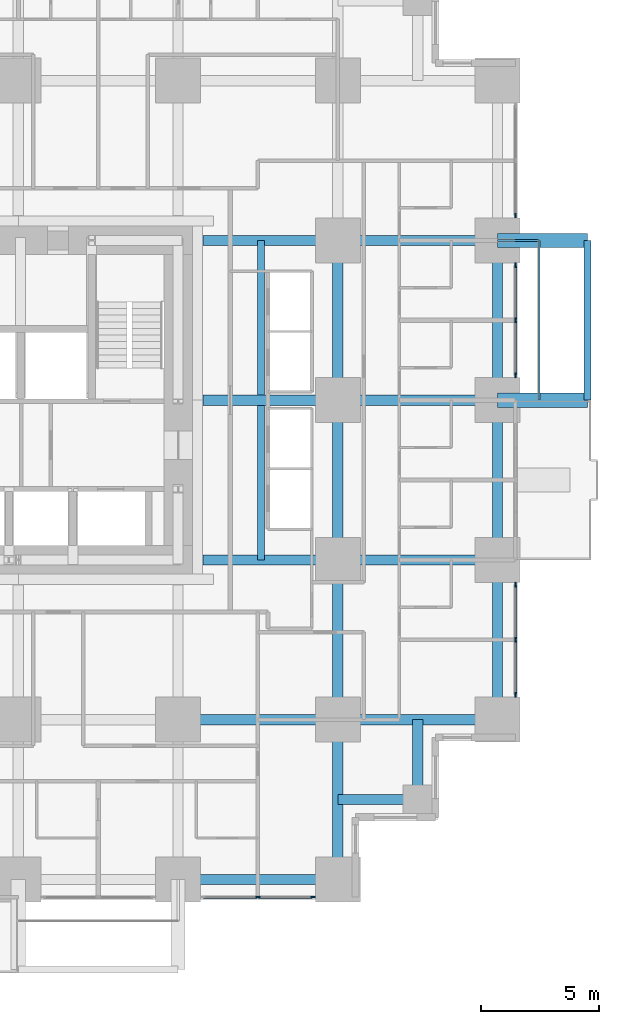
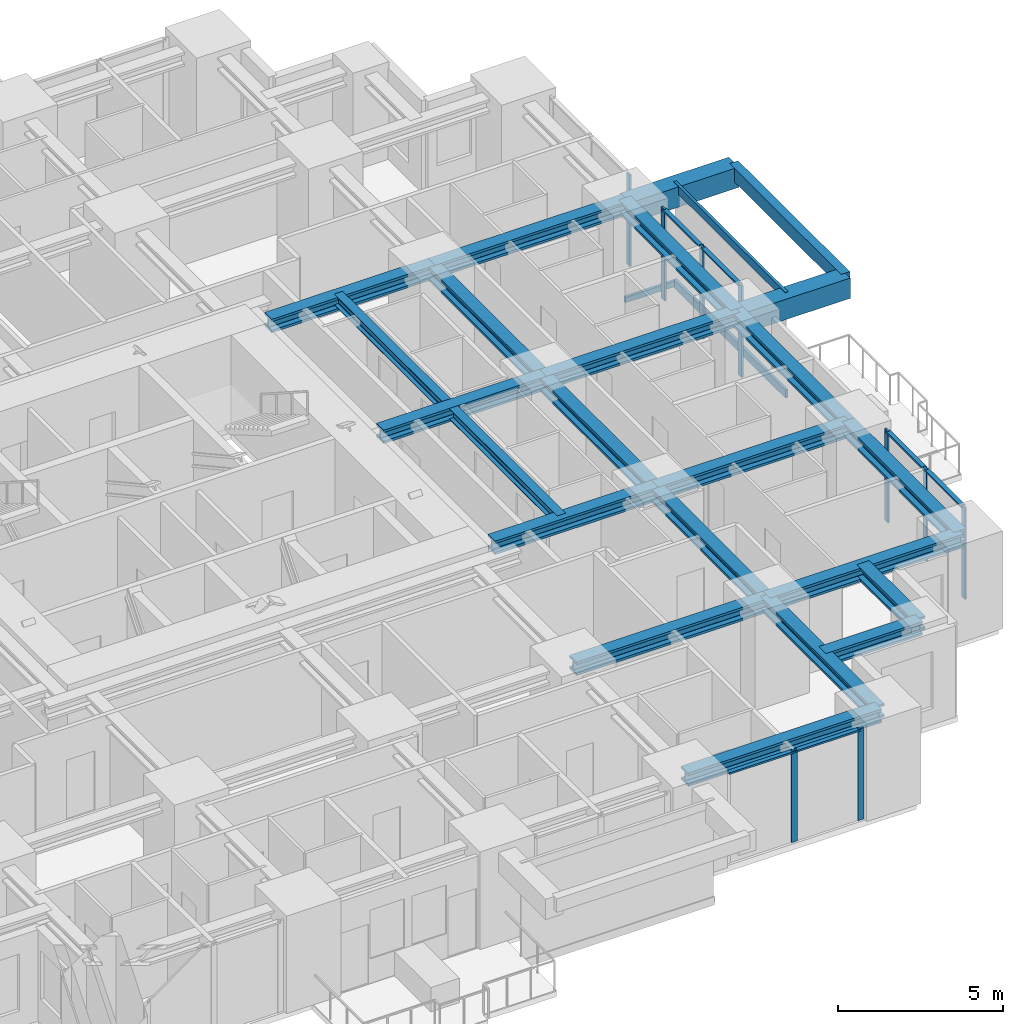
# One storey, part 4 of 15: 23 beams, 18 members, 4 elements without a shape of their own.
"""IFC4 building model written with IfcOpenShell, lengths in metres."""

from ifc_helpers import new_model, si_unit, direction, frame, origin, origin_2d, place, context, subcontext, project, spatial, rectangle, hollow_rectangle, i_section, extrude, material, material_profile, profile_set, type_object, element, aggregate, save


model = new_model("IFC4")

# Units and contexts
model_context = context("Model", 3, precision=1e-05, world=origin(), true_north=direction((0.0, 1.0)))
body_context = subcontext(model_context, "Body", "Model", "MODEL_VIEW")
ifc_project = project(units=[si_unit("LENGTHUNIT", "METRE"), si_unit("AREAUNIT", "SQUARE_METRE"), si_unit("VOLUMEUNIT", "CUBIC_METRE"), si_unit("PLANEANGLEUNIT", "RADIAN"), si_unit("MASSUNIT", "GRAM", prefix="KILO")], contexts=[model_context])

# Site, building, storey
site_placement = place(None, origin())
site = spatial("IfcSite", under=ifc_project, at=site_placement, CompositionType="ELEMENT")
building_placement = place(site_placement, origin())
building = spatial("IfcBuilding", under=site, at=building_placement, Name="Nyansa Garden Tower", CompositionType="ELEMENT")
storey_placement = place(building_placement, frame((0.0, 0.0, 25.199951171875)))
storey = spatial("IfcBuildingStorey", under=building, at=storey_placement, Name="L06", CompositionType="ELEMENT", Elevation=25.199951171875)

# Beams
ifc_material_1 = material(Name="Concrete C70/85", Category="concrete")
ifc_material_profile_1 = material_profile(ifc_material_1, rectangle(XDim=0.60009765625, YDim=0.75, at=origin_2d()), Name="RC 600x750")
ifc_profile_set_1 = profile_set([ifc_material_profile_1], Name="Concrete C70/85")
beam_type_1 = type_object("IfcBeamType", Name="Balcony cantilever beam CB1 RC 600x750", PredefinedType="BEAM", material=ifc_profile_set_1)
for number, where, z_axis, x_axis, name in (
    (1, (40.5, 20.25, 2.985107421875), (1.0, 0.0, 0.0), (0.0, 1.0, 0.0), "Balcony cantilever beam L07"),
    (2, (40.5, 27.0, 2.985107421875), (1.0, 0.0, 0.0), (0.0, 1.0, 0.0), "Balcony cantilever beam L07"),
):
    element("IfcBeam", number, at=place(storey_placement, frame(where, z_axis=z_axis, x_axis=x_axis)), inside=storey, type_object=beam_type_1, Name=name, PredefinedType="BEAM", context=body_context, shape_type="SweptSolid", body=[
        extrude(rectangle(XDim=0.60009765625, YDim=0.75, at=origin_2d()), origin(), (0.0, 0.0, 1.0), 3.800048828125),
    ])
ifc_material_2 = material(Name="Concrete C70/85", Category="concrete")
ifc_material_profile_2 = material_profile(ifc_material_2, rectangle(XDim=0.300048828125, YDim=0.5, at=origin_2d()), Name="RC 300x500")
ifc_profile_set_2 = profile_set([ifc_material_profile_2], Name="Concrete C70/85")
beam_type_2 = type_object("IfcBeamType", Name="Balcony edge beam BE1 RC 300x500", PredefinedType="BEAM", material=ifc_profile_set_2)
beam_1_placement = place(storey_placement, frame((44.300048828125, 20.25, 3.110107421875), z_axis=(0.0, 1.0, 0.0), x_axis=(-1.0, 0.0, 0.0)))
element("IfcBeam", 3, at=beam_1_placement, inside=storey, type_object=beam_type_2, Name="Balcony edge beam L07", PredefinedType="BEAM", context=body_context, shape_type="SweptSolid", body=[
    extrude(rectangle(XDim=0.300048828125, YDim=0.5, at=origin_2d()), origin(), (0.0, 0.0, 1.0), 6.75),
])

# Curtain wall, members
ifc_material_3 = material(Name="Black anodised aluminium, dark tinted double glazing", Category="aluminium")
curtain_wall_type = type_object("IfcCurtainWallType", Name="Inner skin curtain wall ISW-A", PredefinedType="USERDEFINED", material=ifc_material_3)
curtain_wall_1_placement = place(storey_placement, origin())
curtain_wall_1 = element("IfcCurtainWall", 4, at=curtain_wall_1_placement, inside=storey, type_object=curtain_wall_type, Name="Inner skin curtain wall L06 E", ObjectType="UNITISED CURTAIN WALL", PredefinedType="USERDEFINED")
ifc_material_4 = material(Name="Black anodised aluminium", Category="aluminium")
ifc_material_profile_3 = material_profile(ifc_material_4, rectangle(XDim=0.06494140625, YDim=0.199951171875, at=origin_2d()), Name="Mullion 200x65")
ifc_profile_set_3 = profile_set([ifc_material_profile_3], Name="Black anodised aluminium")
member_type_1 = type_object("IfcMemberType", Name="Mullion ISW-A 200x65", PredefinedType="MULLION", material=ifc_profile_set_3)
member_1_placement = place(storey_placement, frame((41.25, 7.800048828125, 0.0), z_axis=(0.0, 0.0, 1.0), x_axis=(-1.0, 0.0, 0.0)))
member_1 = element("IfcMember", 5, at=member_1_placement, type_object=member_type_1, Name="ISW-A mullion 1", PredefinedType="MULLION", context=body_context, shape_type="SweptSolid", body=[
    extrude(rectangle(XDim=0.06494140625, YDim=0.199951171875, at=origin_2d()), origin(), (0.0, 0.0, 1.0), 3.375),
])
member_2_placement = place(storey_placement, frame((41.25, 10.125, 0.0), z_axis=(0.0, 0.0, 1.0), x_axis=(-1.0, 0.0, 0.0)))
member_2 = element("IfcMember", 6, at=member_2_placement, type_object=member_type_1, Name="ISW-A mullion 2", PredefinedType="MULLION", context=body_context, shape_type="SweptSolid", body=[
    extrude(rectangle(XDim=0.06494140625, YDim=0.199951171875, at=origin_2d()), origin(), (0.0, 0.0, 1.0), 3.375),
])
member_3_placement = place(storey_placement, frame((41.25, 12.449951171875, 0.0), z_axis=(0.0, 0.0, 1.0), x_axis=(-1.0, 0.0, 0.0)))
member_3 = element("IfcMember", 7, at=member_3_placement, type_object=member_type_1, Name="ISW-A mullion 3", PredefinedType="MULLION", context=body_context, shape_type="SweptSolid", body=[
    extrude(rectangle(XDim=0.06494140625, YDim=0.199951171875, at=origin_2d()), origin(), (0.0, 0.0, 1.0), 3.375),
])

curtain_wall_2_placement = place(storey_placement, origin())
curtain_wall_2 = element("IfcCurtainWall", 8, at=curtain_wall_2_placement, inside=storey, type_object=curtain_wall_type, Name="Inner skin curtain wall L06 E", ObjectType="UNITISED CURTAIN WALL", PredefinedType="USERDEFINED")
member_4_placement = place(storey_placement, frame((41.25, 21.300048828125, 0.0), z_axis=(0.0, 0.0, 1.0), x_axis=(-1.0, 0.0, 0.0)))
member_4 = element("IfcMember", 9, at=member_4_placement, type_object=member_type_1, Name="ISW-A mullion 1", PredefinedType="MULLION", context=body_context, shape_type="SweptSolid", body=[
    extrude(rectangle(XDim=0.06494140625, YDim=0.199951171875, at=origin_2d()), origin(), (0.0, 0.0, 1.0), 3.375),
])
member_5_placement = place(storey_placement, frame((41.25, 23.625, 0.0), z_axis=(0.0, 0.0, 1.0), x_axis=(-1.0, 0.0, 0.0)))
member_5 = element("IfcMember", 10, at=member_5_placement, type_object=member_type_1, Name="ISW-A mullion 2", PredefinedType="MULLION", context=body_context, shape_type="SweptSolid", body=[
    extrude(rectangle(XDim=0.06494140625, YDim=0.199951171875, at=origin_2d()), origin(), (0.0, 0.0, 1.0), 3.375),
])
member_6_placement = place(storey_placement, frame((41.25, 25.949951171875, 0.0), z_axis=(0.0, 0.0, 1.0), x_axis=(-1.0, 0.0, 0.0)))
member_6 = element("IfcMember", 11, at=member_6_placement, type_object=member_type_1, Name="ISW-A mullion 3", PredefinedType="MULLION", context=body_context, shape_type="SweptSolid", body=[
    extrude(rectangle(XDim=0.06494140625, YDim=0.199951171875, at=origin_2d()), origin(), (0.0, 0.0, 1.0), 3.375),
])

# Curtain wall, member
curtain_wall_3_placement = place(storey_placement, origin())
curtain_wall_3 = element("IfcCurtainWall", 12, at=curtain_wall_3_placement, inside=storey, type_object=curtain_wall_type, Name="Inner skin curtain wall L06 E", ObjectType="UNITISED CURTAIN WALL", PredefinedType="USERDEFINED")
member_7_placement = place(storey_placement, frame((41.25, 28.050048828125, 0.0), z_axis=(0.0, 0.0, 1.0), x_axis=(-1.0, 0.0, 0.0)))
member_7 = element("IfcMember", 13, at=member_7_placement, type_object=member_type_1, Name="ISW-A mullion 1", PredefinedType="MULLION", context=body_context, shape_type="SweptSolid", body=[
    extrude(rectangle(XDim=0.06494140625, YDim=0.199951171875, at=origin_2d()), origin(), (0.0, 0.0, 1.0), 3.375),
])
aggregate(curtain_wall_3, [member_7])

# Curtain wall, members
curtain_wall_4_placement = place(storey_placement, origin())
curtain_wall_4 = element("IfcCurtainWall", 14, at=curtain_wall_4_placement, inside=storey, type_object=curtain_wall_type, Name="Inner skin curtain wall L06 S", ObjectType="UNITISED CURTAIN WALL", PredefinedType="USERDEFINED")
member_8_placement = place(storey_placement, frame((30.375, -0.75, 0.0), z_axis=(0.0, 0.0, 1.0), x_axis=(0.0, 1.0, 0.0)))
member_8 = element("IfcMember", 15, at=member_8_placement, type_object=member_type_1, Name="ISW-A mullion 2", PredefinedType="MULLION", context=body_context, shape_type="SweptSolid", body=[
    extrude(rectangle(XDim=0.06494140625, YDim=0.199951171875, at=origin_2d()), origin(), (0.0, 0.0, 1.0), 3.375),
])
member_9_placement = place(storey_placement, frame((32.699951171875, -0.75, 0.0), z_axis=(0.0, 0.0, 1.0), x_axis=(0.0, 1.0, 0.0)))
member_9 = element("IfcMember", 16, at=member_9_placement, type_object=member_type_1, Name="ISW-A mullion 3", PredefinedType="MULLION", context=body_context, shape_type="SweptSolid", body=[
    extrude(rectangle(XDim=0.06494140625, YDim=0.199951171875, at=origin_2d()), origin(), (0.0, 0.0, 1.0), 3.375),
])

# Members
ifc_material_5 = material(Name="Steel S355, black powder coated", Category="steel")
ifc_material_profile_4 = material_profile(ifc_material_5, hollow_rectangle(XDim=0.10009765625, YDim=0.199951171875, WallThickness=0.008056640625, at=origin_2d()), Name="RHS 200x100x8")
ifc_profile_set_4 = profile_set([ifc_material_profile_4], Name="Steel S355, black powder coated")
member_type_2 = type_object("IfcMemberType", Name="Outer skin bracket arm RHS 200x100x8", PredefinedType="USERDEFINED", material=ifc_profile_set_4)
member_10_placement = place(storey_placement, frame((40.5, 27.0, -0.375), z_axis=(1.0, 0.0, 0.0), x_axis=(0.0, 1.0, 0.0)))
element("IfcMember", 17, at=member_10_placement, inside=storey, type_object=member_type_2, Name="Outer skin bracket arm", ObjectType="OUTER SKIN BRACKET", PredefinedType="USERDEFINED", context=body_context, shape_type="SweptSolid", body=[
    extrude(hollow_rectangle(XDim=0.10009765625, YDim=0.199951171875, WallThickness=0.008056640625, at=origin_2d()), origin(), (0.0, 0.0, 1.0), 1.75),
])
ifc_material_6 = material(Name="Steel S355, black powder coated", Category="steel")
ifc_material_profile_5 = material_profile(ifc_material_6, hollow_rectangle(XDim=0.10009765625, YDim=0.300048828125, WallThickness=0.010009765625, at=origin_2d()), Name="RHS 300x100x10")
ifc_profile_set_5 = profile_set([ifc_material_profile_5], Name="Steel S355, black powder coated")
member_type_3 = type_object("IfcMemberType", Name="Outer skin rail RHS 300x100x10", PredefinedType="USERDEFINED", material=ifc_profile_set_5)
for number, where, z_axis, x_axis, name in (
    (18, (42.25, 20.25, -0.375), (0.0, 1.0, 0.0), (-1.0, 0.0, 0.0), "Outer skin rail L06"),
    (19, (42.25, 20.25, 3.22509765625), (0.0, 1.0, 0.0), (-1.0, 0.0, 0.0), "Outer skin rail L06 head"),
):
    element("IfcMember", number, at=place(storey_placement, frame(where, z_axis=z_axis, x_axis=x_axis)), inside=storey, type_object=member_type_3, Name=name, ObjectType="OUTER SKIN RAIL", PredefinedType="USERDEFINED", context=body_context, shape_type="SweptSolid", body=[
        extrude(hollow_rectangle(XDim=0.10009765625, YDim=0.300048828125, WallThickness=0.010009765625, at=origin_2d()), origin(), (0.0, 0.0, 1.0), 6.75),
    ])

# Beams
ifc_material_7 = material(Name="Steel S355", Category="steel")
ifc_material_profile_6 = material_profile(ifc_material_7, i_section(OverallWidth=0.431884765625, OverallDepth=0.498046875, WebThickness=0.0556640625, FlangeThickness=0.0888671875, FilletRadius=0.014892578125, at=origin_2d()), Name="HD 400x744")
ifc_profile_set_6 = profile_set([ifc_material_profile_6], Name="Steel S355")
beam_type_3 = type_object("IfcBeamType", Name="Steel beam SBA1-744 HD 400x744", PredefinedType="BEAM", material=ifc_profile_set_6)
beam_2_placement = place(storey_placement, frame((27.0, 6.75, 3.1259765625), z_axis=(1.0, 0.0, 0.0), x_axis=(0.0, 1.0, 0.0)))
element("IfcBeam", 20, at=beam_2_placement, inside=storey, type_object=beam_type_3, Name="Steel beam 6/E-7/E L07", PredefinedType="BEAM", context=body_context, shape_type="SweptSolid", body=[
    extrude(i_section(OverallWidth=0.431884765625, OverallDepth=0.498046875, WebThickness=0.0556640625, FlangeThickness=0.0888671875, FilletRadius=0.014892578125, at=origin_2d()), origin(), (0.0, 0.0, 1.0), 6.75),
])
for number, where, z_axis, x_axis, name in (
    (21, (28.050048828125, 13.5, 3.1259765625), (1.0, 0.0, 0.0), (0.0, 1.0, 0.0), "Steel beam 28.050/F-7/F L07"),
    (22, (28.050048828125, 20.25, 3.1259765625), (1.0, 0.0, 0.0), (0.0, 1.0, 0.0), "Steel beam 28.050/G-7/G L07"),
    (23, (28.050048828125, 27.0, 3.1259765625), (1.0, 0.0, 0.0), (0.0, 1.0, 0.0), "Steel beam 28.050/H-7/H L07"),
):
    element("IfcBeam", number, at=place(storey_placement, frame(where, z_axis=z_axis, x_axis=x_axis)), inside=storey, type_object=beam_type_3, Name=name, PredefinedType="BEAM", context=body_context, shape_type="SweptSolid", body=[
        extrude(i_section(OverallWidth=0.431884765625, OverallDepth=0.498046875, WebThickness=0.0556640625, FlangeThickness=0.0888671875, FilletRadius=0.014892578125, at=origin_2d()), origin(), (0.0, 0.0, 1.0), 5.699951171875),
    ])
for number, where, z_axis, x_axis, name in (
    (24, (33.75, 0.0, 3.1259765625), (0.0, 1.0, 0.0), (-1.0, 0.0, 0.0), "Steel beam 7/D-7/E L07"),
    (25, (33.75, 6.75, 3.1259765625), (0.0, 1.0, 0.0), (-1.0, 0.0, 0.0), "Steel beam 7/E-7/F L07"),
    (26, (33.75, 6.75, 3.1259765625), (1.0, 0.0, 0.0), (0.0, 1.0, 0.0), "Steel beam 7/E-8/E L07"),
    (27, (33.75, 13.5, 3.1259765625), (0.0, 1.0, 0.0), (-1.0, 0.0, 0.0), "Steel beam 7/F-7/G L07"),
    (28, (33.75, 13.5, 3.1259765625), (1.0, 0.0, 0.0), (0.0, 1.0, 0.0), "Steel beam 7/F-8/F L07"),
    (29, (33.75, 20.25, 3.1259765625), (0.0, 1.0, 0.0), (-1.0, 0.0, 0.0), "Steel beam 7/G-7/H L07"),
    (30, (33.75, 20.25, 3.1259765625), (1.0, 0.0, 0.0), (0.0, 1.0, 0.0), "Steel beam 7/G-8/G L07"),
    (31, (33.75, 27.0, 3.1259765625), (1.0, 0.0, 0.0), (0.0, 1.0, 0.0), "Steel beam 7/H-8/H L07"),
):
    element("IfcBeam", number, at=place(storey_placement, frame(where, z_axis=z_axis, x_axis=x_axis)), inside=storey, type_object=beam_type_3, Name=name, PredefinedType="BEAM", context=body_context, shape_type="SweptSolid", body=[
        extrude(i_section(OverallWidth=0.431884765625, OverallDepth=0.498046875, WebThickness=0.0556640625, FlangeThickness=0.0888671875, FilletRadius=0.014892578125, at=origin_2d()), origin(), (0.0, 0.0, 1.0), 6.75),
    ])
ifc_material_8 = material(Name="Steel S355", Category="steel")
ifc_material_profile_7 = material_profile(ifc_material_8, i_section(OverallWidth=0.431884765625, OverallDepth=0.498046875, WebThickness=0.0556640625, FlangeThickness=0.0888671875, FilletRadius=0.014892578125, at=origin_2d()), Name="HD 400x744")
ifc_profile_set_7 = profile_set([ifc_material_profile_7], Name="Steel S355")
beam_type_4 = type_object("IfcBeamType", Name="Steel beam SEBA-744 HD 400x744", PredefinedType="BEAM", material=ifc_profile_set_7)
for number, where, z_axis, x_axis, name in (
    (32, (27.0, 0.0, 3.1259765625), (1.0, 0.0, 0.0), (0.0, 1.0, 0.0), "Steel edge beam 6/D-7/D L07"),
    (33, (40.5, 6.75, 3.1259765625), (0.0, 1.0, 0.0), (-1.0, 0.0, 0.0), "Steel edge beam 8/E-8/F L07"),
    (34, (40.5, 13.5, 3.1259765625), (0.0, 1.0, 0.0), (-1.0, 0.0, 0.0), "Steel edge beam 8/F-8/G L07"),
    (35, (40.5, 20.25, 3.1259765625), (0.0, 1.0, 0.0), (-1.0, 0.0, 0.0), "Steel edge beam 8/G-8/H L07"),
):
    element("IfcBeam", number, at=place(storey_placement, frame(where, z_axis=z_axis, x_axis=x_axis)), inside=storey, type_object=beam_type_4, Name=name, PredefinedType="BEAM", context=body_context, shape_type="SweptSolid", body=[
        extrude(i_section(OverallWidth=0.431884765625, OverallDepth=0.498046875, WebThickness=0.0556640625, FlangeThickness=0.0888671875, FilletRadius=0.014892578125, at=origin_2d()), origin(), (0.0, 0.0, 1.0), 6.75),
    ])
ifc_material_9 = material(Name="Steel S355", Category="steel")
ifc_material_profile_8 = material_profile(ifc_material_9, i_section(OverallWidth=0.431884765625, OverallDepth=0.498046875, WebThickness=0.0556640625, FlangeThickness=0.0888671875, FilletRadius=0.014892578125, at=origin_2d()), Name="HD 400x744")
ifc_profile_set_8 = profile_set([ifc_material_profile_8], Name="Steel S355")
beam_type_5 = type_object("IfcBeamType", Name="Steel beam SSB1-744 HD 400x744", PredefinedType="BEAM", material=ifc_profile_set_8)
for number, where, z_axis, x_axis, name in (
    (36, (37.125, 3.375, 3.1259765625), (0.0, 1.0, 0.0), (-1.0, 0.0, 0.0), "Steel step beam 37.125/3.375 L07"),
    (37, (37.125, 3.375, 3.1259765625), (-1.0, 0.0, 0.0), (0.0, -1.0, 0.0), "Steel step beam 37.125/3.375 L07"),
):
    element("IfcBeam", number, at=place(storey_placement, frame(where, z_axis=z_axis, x_axis=x_axis)), inside=storey, type_object=beam_type_5, Name=name, PredefinedType="BEAM", context=body_context, shape_type="SweptSolid", body=[
        extrude(i_section(OverallWidth=0.431884765625, OverallDepth=0.498046875, WebThickness=0.0556640625, FlangeThickness=0.0888671875, FilletRadius=0.014892578125, at=origin_2d()), origin(), (0.0, 0.0, 1.0), 3.375),
    ])

# Member
ifc_material_10 = material(Name="Black anodised aluminium", Category="aluminium")
ifc_material_profile_9 = material_profile(ifc_material_10, rectangle(XDim=0.14990234375, YDim=0.06494140625, at=origin_2d()), Name="Transom 150x65")
ifc_profile_set_9 = profile_set([ifc_material_profile_9], Name="Black anodised aluminium")
member_type_4 = type_object("IfcMemberType", Name="Transom ISW-A 150x65", PredefinedType="USERDEFINED", material=ifc_profile_set_9)
member_11_placement = place(storey_placement, frame((41.25, 7.83251953125, 3.342529296875), z_axis=(0.0, 1.0, 0.0), x_axis=(-1.0, 0.0, 0.0)))
member_11 = element("IfcMember", 38, at=member_11_placement, type_object=member_type_4, Name="ISW-A transom 1", ObjectType="TRANSOM", PredefinedType="USERDEFINED", context=body_context, shape_type="SweptSolid", body=[
    extrude(rectangle(XDim=0.14990234375, YDim=0.06494140625, at=origin_2d()), origin(), (0.0, 0.0, 1.0), 2.260009765625),
])

member_12_placement = place(storey_placement, frame((41.25, 10.157470703125, 3.342529296875), z_axis=(0.0, 1.0, 0.0), x_axis=(-1.0, 0.0, 0.0)))
member_12 = element("IfcMember", 39, at=member_12_placement, type_object=member_type_4, Name="ISW-A transom 2", ObjectType="TRANSOM", PredefinedType="USERDEFINED", context=body_context, shape_type="SweptSolid", body=[
    extrude(rectangle(XDim=0.14990234375, YDim=0.06494140625, at=origin_2d()), origin(), (0.0, 0.0, 1.0), 2.260009765625),
])

aggregate(curtain_wall_1, [member_1, member_2, member_3, member_11, member_12])

member_13_placement = place(storey_placement, frame((41.25, 21.33251953125, 3.342529296875), z_axis=(0.0, 1.0, 0.0), x_axis=(-1.0, 0.0, 0.0)))
member_13 = element("IfcMember", 40, at=member_13_placement, type_object=member_type_4, Name="ISW-A transom 1", ObjectType="TRANSOM", PredefinedType="USERDEFINED", context=body_context, shape_type="SweptSolid", body=[
    extrude(rectangle(XDim=0.14990234375, YDim=0.06494140625, at=origin_2d()), origin(), (0.0, 0.0, 1.0), 2.260009765625),
])

member_14_placement = place(storey_placement, frame((41.25, 23.657470703125, 3.342529296875), z_axis=(0.0, 1.0, 0.0), x_axis=(-1.0, 0.0, 0.0)))
member_14 = element("IfcMember", 41, at=member_14_placement, type_object=member_type_4, Name="ISW-A transom 2", ObjectType="TRANSOM", PredefinedType="USERDEFINED", context=body_context, shape_type="SweptSolid", body=[
    extrude(rectangle(XDim=0.14990234375, YDim=0.06494140625, at=origin_2d()), origin(), (0.0, 0.0, 1.0), 2.260009765625),
])

aggregate(curtain_wall_2, [member_4, member_5, member_6, member_13, member_14])

member_15_placement = place(storey_placement, frame((28.08251953125, -0.75, 3.342529296875), z_axis=(1.0, 0.0, 0.0), x_axis=(0.0, 1.0, 0.0)))
member_15 = element("IfcMember", 42, at=member_15_placement, type_object=member_type_4, Name="ISW-A transom 1", ObjectType="TRANSOM", PredefinedType="USERDEFINED", context=body_context, shape_type="SweptSolid", body=[
    extrude(rectangle(XDim=0.14990234375, YDim=0.06494140625, at=origin_2d()), origin(), (0.0, 0.0, 1.0), 2.260009765625),
])

member_16_placement = place(storey_placement, frame((30.407470703125, -0.75, 3.342529296875), z_axis=(1.0, 0.0, 0.0), x_axis=(0.0, 1.0, 0.0)))
member_16 = element("IfcMember", 43, at=member_16_placement, type_object=member_type_4, Name="ISW-A transom 2", ObjectType="TRANSOM", PredefinedType="USERDEFINED", context=body_context, shape_type="SweptSolid", body=[
    extrude(rectangle(XDim=0.14990234375, YDim=0.06494140625, at=origin_2d()), origin(), (0.0, 0.0, 1.0), 2.260009765625),
])

aggregate(curtain_wall_4, [member_8, member_9, member_15, member_16])

# Beams
ifc_material_11 = material(Name="Steel S355", Category="steel")
ifc_material_profile_10 = material_profile(ifc_material_11, i_section(OverallWidth=0.300048828125, OverallDepth=0.39990234375, WebThickness=0.013427734375, FlangeThickness=0.02392578125, FilletRadius=0.027099609375, at=origin_2d()), Name="HE 400 B")
ifc_profile_set_10 = profile_set([ifc_material_profile_10], Name="Steel S355")
beam_type_6 = type_object("IfcBeamType", Name="Trimmer beam TR1 HE 400 B", PredefinedType="BEAM", material=ifc_profile_set_10)
for number, where, z_axis, x_axis, name in (
    (44, (30.5, 13.5, 3.175048828125), (0.0, 1.0, 0.0), (-1.0, 0.0, 0.0), "Trimmer beam 1 L07"),
    (45, (30.5, 20.466064453125, 3.175048828125), (0.0, 1.0, 0.0), (-1.0, 0.0, 0.0), "Trimmer beam 2 L07"),
):
    element("IfcBeam", number, at=place(storey_placement, frame(where, z_axis=z_axis, x_axis=x_axis)), inside=storey, type_object=beam_type_6, Name=name, PredefinedType="BEAM", context=body_context, shape_type="SweptSolid", body=[
        extrude(i_section(OverallWidth=0.300048828125, OverallDepth=0.39990234375, WebThickness=0.013427734375, FlangeThickness=0.02392578125, FilletRadius=0.027099609375, at=origin_2d()), origin(), (0.0, 0.0, 1.0), 6.533935546875),
    ])

save(model, "model.ifc")
